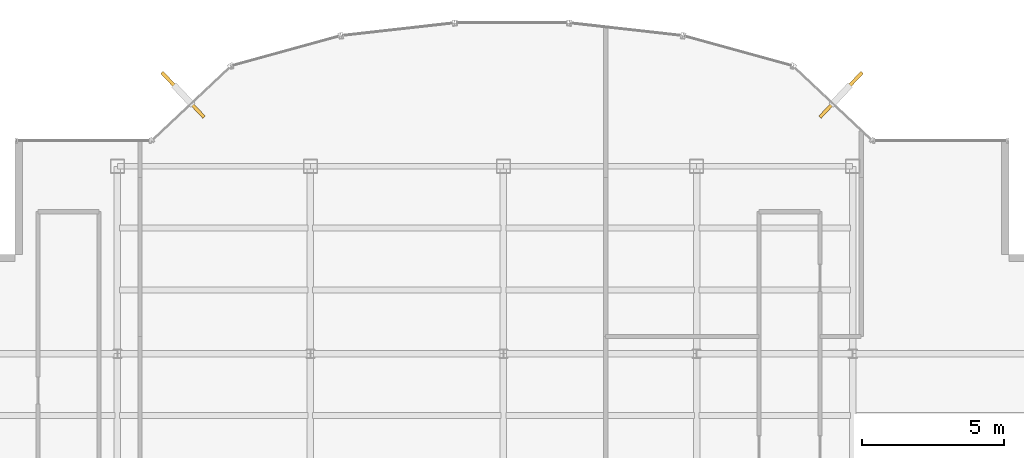
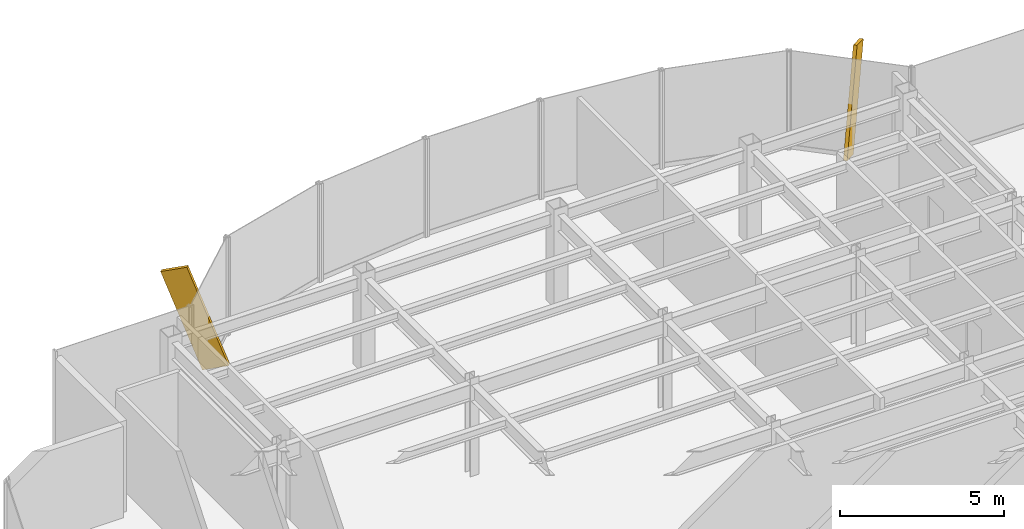
# One storey, part 21 of 22: 2 shading devices.
"""IFC4 building model written with IfcOpenShell, lengths in metres."""

from ifc_helpers import new_model, si_unit, derived_unit, direction, frame, origin, origin_2d, place, context, subcontext, project, spatial, rectangle, extrude, source, transform, mapped, material, type_object, element, save


model = new_model("IFC4")

# Units and contexts
model_context = context("Model", 3, precision=1e-05, world=origin(), true_north=direction((0.0, 1.0)))
body_context = subcontext(model_context, "Body", "Model", "MODEL_VIEW")
ifc_project = project(units=[si_unit("LENGTHUNIT", "METRE"), si_unit("AREAUNIT", "SQUARE_METRE"), si_unit("VOLUMEUNIT", "CUBIC_METRE"), si_unit("PLANEANGLEUNIT", "RADIAN"), si_unit("MASSUNIT", "GRAM", prefix="KILO"), derived_unit("THERMALTRANSMITTANCEUNIT", [(si_unit("POWERUNIT", "WATT"), 1), (si_unit("LENGTHUNIT", "METRE"), -2), (si_unit("THERMODYNAMICTEMPERATUREUNIT", "KELVIN"), -1)])], contexts=[model_context])

# Site, building, storey
site_placement = place(None, origin())
site = spatial("IfcSite", under=ifc_project, at=site_placement, CompositionType="ELEMENT")
building_placement = place(site_placement, origin())
building = spatial("IfcBuilding", under=site, at=building_placement, Name="Skarnbrae Concourse Arena and Tower", CompositionType="ELEMENT")
storey_placement = place(building_placement, frame((0.0, 0.0, 262.449951171875)))
storey = spatial("IfcBuildingStorey", under=building, at=storey_placement, Name="L68", CompositionType="ELEMENT", Elevation=262.449951171875)

# Shading devices
ifc_material = material(Name="Bronze anodised aluminium 6063-T6", Category="aluminium")
shading_device_type = type_object("IfcShadingDeviceType", Name="SHD-BRONZE-FIN-900", PredefinedType="USERDEFINED", material=ifc_material)
shared_shape = source(origin(), body_context, "Body", "SweptSolid", [
    extrude(rectangle(XDim=0.1201171875, YDim=0.89990234375, at=origin_2d()), origin(), (0.0, 0.0, 1.0), 3.64990234375),
])
for number, where, z_axis, x_axis, name in (
    (1, (32.63720703125, 36.435302734375, 0.125244140625), (0.249654525872, 0.265205022033, 0.931310320999), (0.728131751529, -0.685437198009, 0.0), "L68 Outward-leaning bronze shading fin 08"),
    (2, (10.36279296875, 36.435302734375, 0.125244140625), (-0.249654525872, 0.265205022033, 0.931310320999), (0.728131751529, 0.685437198009, 0.0), "L68 Outward-leaning bronze shading fin 14"),
):
    element("IfcShadingDevice", number, at=place(storey_placement, frame(where, z_axis=z_axis, x_axis=x_axis)), inside=storey, type_object=shading_device_type, Name=name, ObjectType="FIN", PredefinedType="USERDEFINED", context=body_context, shape_type="MappedRepresentation", body=[
        mapped(shared_shape, transform((0.0, 0.0, 0.0))),
    ])

save(model, "model.ifc")
